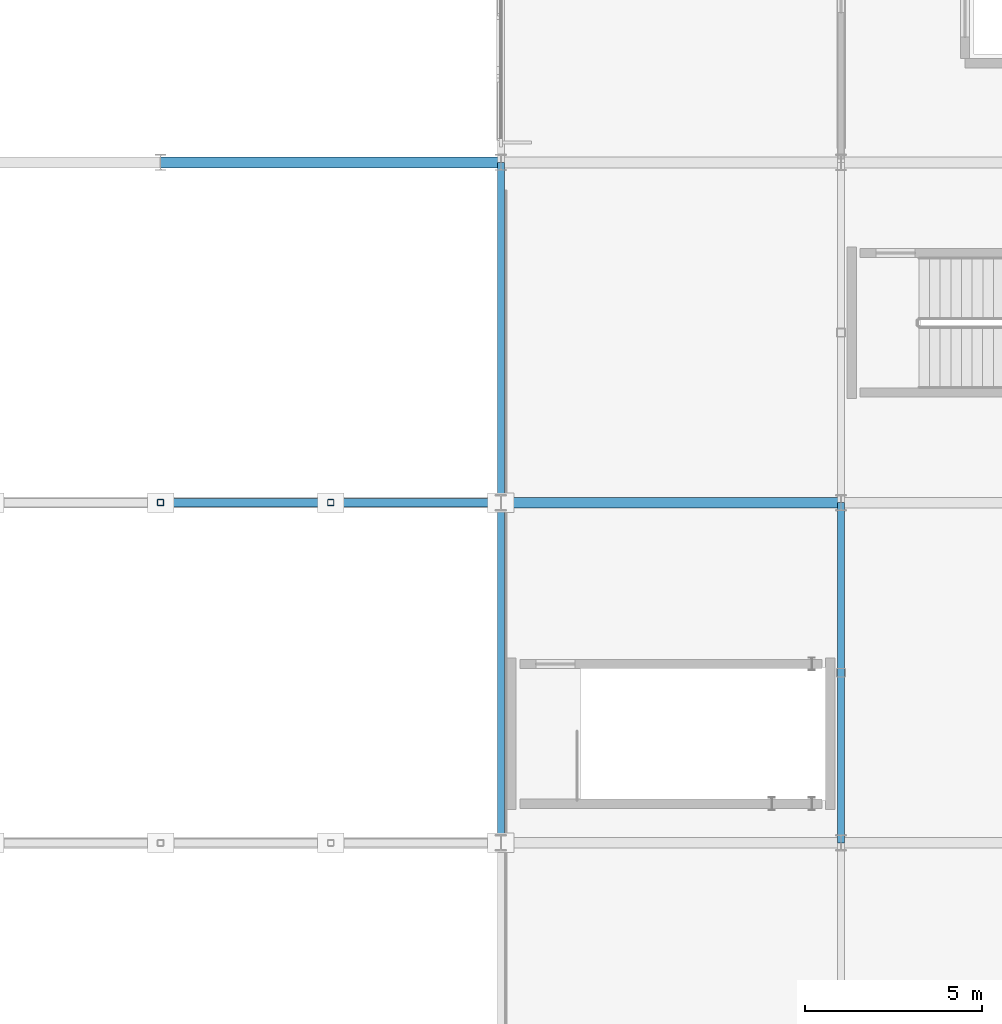
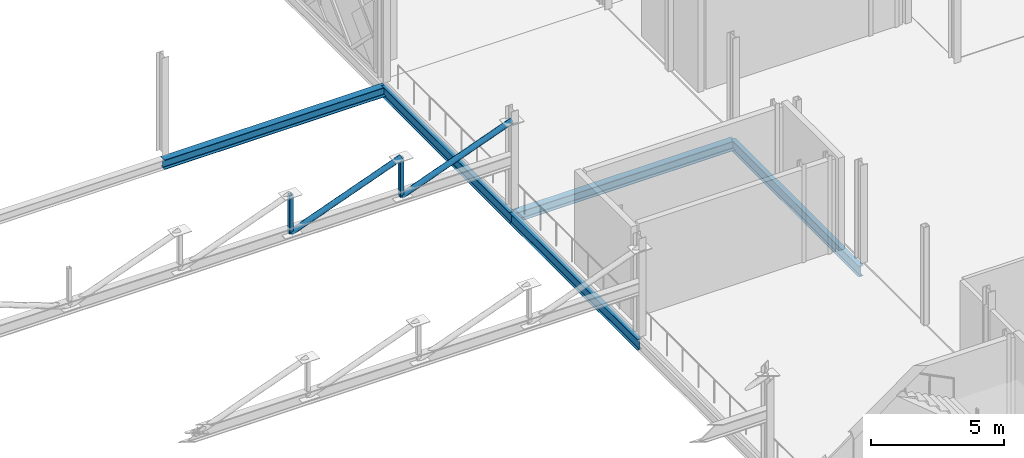
# One storey, part 36 of 101: 5 beams, 4 members.
"""IFC4 building model written with IfcOpenShell, lengths in metres."""

from ifc_helpers import new_model, si_unit, direction, frame, origin, origin_2d, place, context, subcontext, project, spatial, hollow_rectangle, hollow_circle, i_section, extrude, material, material_profile, profile_set, type_object, element, save


model = new_model("IFC4")

# Units and contexts
model_context = context("Model", 3, precision=1e-05, world=origin(), true_north=direction((0.0, 1.0)))
body_context = subcontext(model_context, "Body", "Model", "MODEL_VIEW")
ifc_project = project(units=[si_unit("LENGTHUNIT", "METRE"), si_unit("AREAUNIT", "SQUARE_METRE"), si_unit("VOLUMEUNIT", "CUBIC_METRE"), si_unit("PLANEANGLEUNIT", "RADIAN"), si_unit("MASSUNIT", "GRAM", prefix="KILO")], contexts=[model_context])

# Site, building, storey
site_placement = place(None, origin())
site = spatial("IfcSite", under=ifc_project, at=site_placement, CompositionType="ELEMENT")
building_placement = place(site_placement, origin())
building = spatial("IfcBuilding", under=site, at=building_placement, Name="Zevrakil Square Congress Hotel", CompositionType="ELEMENT")
storey_placement = place(building_placement, frame((0.0, 0.0, 5.39990234375)))
storey = spatial("IfcBuildingStorey", under=building, at=storey_placement, Name="L02", CompositionType="ELEMENT", Elevation=5.39990234375)

# Beams
ifc_material_1 = material(Name="Steel S355", Category="steel")
ifc_material_profile_1 = material_profile(ifc_material_1, i_section(OverallWidth=0.300048828125, OverallDepth=0.43994140625, WebThickness=0.011474609375, FlangeThickness=0.02099609375, FilletRadius=0.027099609375, at=origin_2d()), Name="HEA 450")
ifc_profile_set_1 = profile_set([ifc_material_profile_1], Name="Steel S355")
beam_type_1 = type_object("IfcBeamType", Name="BM-HEA450", PredefinedType="BEAM", material=ifc_profile_set_1)
beam_1_placement = place(storey_placement, frame((45.60009765625, 36.0, -0.47998046875), z_axis=(1.0, 0.0, 0.0), x_axis=(0.0, 1.0, 0.0)))
element("IfcBeam", 1, at=beam_1_placement, inside=storey, type_object=beam_type_1, Name="L02 primary girder BX-0719", PredefinedType="BEAM", context=body_context, shape_type="SweptSolid", body=[
    extrude(i_section(OverallWidth=0.300048828125, OverallDepth=0.43994140625, WebThickness=0.011474609375, FlangeThickness=0.02099609375, FilletRadius=0.027099609375, at=origin_2d()), origin(), (0.0, 0.0, 1.0), 9.599853515625),
])
beam_2_placement = place(storey_placement, frame((36.0, 45.60009765625, -0.47998046875), z_axis=(1.0, 0.0, 0.0), x_axis=(0.0, 1.0, 0.0)))
element("IfcBeam", 2, at=beam_2_placement, inside=storey, type_object=beam_type_1, Name="L02 primary girder BX-0735", PredefinedType="BEAM", context=body_context, shape_type="SweptSolid", body=[
    extrude(i_section(OverallWidth=0.300048828125, OverallDepth=0.43994140625, WebThickness=0.011474609375, FlangeThickness=0.02099609375, FilletRadius=0.027099609375, at=origin_2d()), origin(), (0.0, 0.0, 1.0), 9.60009765625),
])
ifc_material_2 = material(Name="Steel S355", Category="steel")
ifc_material_profile_2 = material_profile(ifc_material_2, i_section(OverallWidth=0.199951171875, OverallDepth=0.5, WebThickness=0.01025390625, FlangeThickness=0.01611328125, FilletRadius=0.02099609375, at=origin_2d()), Name="IPE 500")
ifc_profile_set_2 = profile_set([ifc_material_profile_2], Name="Steel S355")
beam_type_2 = type_object("IfcBeamType", Name="BM-IPE500", PredefinedType="BEAM", material=ifc_profile_set_2)
for number, where, z_axis, x_axis, name in (
    (3, (45.60009765625, 26.39990234375, -0.510009765625), (0.0, 1.0, 0.0), (-1.0, 0.0, 0.0), "L02 primary girder BY-0845"),
    (4, (45.60009765625, 36.0, -0.510009765625), (0.0, 1.0, 0.0), (-1.0, 0.0, 0.0), "L02 primary girder BY-0846"),
    (5, (55.199951171875, 26.39990234375, -0.510009765625), (0.0, 1.0, 0.0), (-1.0, 0.0, 0.0), "L02 primary girder BY-0857"),
):
    element("IfcBeam", number, at=place(storey_placement, frame(where, z_axis=z_axis, x_axis=x_axis)), inside=storey, type_object=beam_type_2, Name=name, PredefinedType="BEAM", context=body_context, shape_type="SweptSolid", body=[
        extrude(i_section(OverallWidth=0.199951171875, OverallDepth=0.5, WebThickness=0.01025390625, FlangeThickness=0.01611328125, FilletRadius=0.02099609375, at=origin_2d()), origin(), (0.0, 0.0, 1.0), 9.60009765625),
    ])

# Members
ifc_material_3 = material(Name="Steel S355", Category="steel")
ifc_material_profile_3 = material_profile(ifc_material_3, hollow_circle(Radius=0.122314453125, WallThickness=0.012451171875, at=origin_2d()), Name="CHS 244.5x12.5")
ifc_profile_set_3 = profile_set([ifc_material_profile_3], Name="Steel S355")
member_type_1 = type_object("IfcMemberType", Name="MEM-BRACE-CHS244", PredefinedType="BRACE", material=ifc_profile_set_3)
for number, where, z_axis, x_axis, name in (
    (6, (36.0, 36.0, 2.150146484375), (0.937932774607, 0.0, 0.346817113646), (0.0, 1.0, 0.0), "Ballroom Pratt truss diagonal BTD-36"),
    (7, (40.800048828125, 36.0, 2.150146484375), (0.937932774607, 0.0, 0.346817113646), (0.0, 1.0, 0.0), "Ballroom Pratt truss diagonal BTD-37"),
):
    element("IfcMember", number, at=place(storey_placement, frame(where, z_axis=z_axis, x_axis=x_axis)), inside=storey, type_object=member_type_1, Name=name, PredefinedType="BRACE", context=body_context, shape_type="SweptSolid", body=[
        extrude(hollow_circle(Radius=0.122314453125, WallThickness=0.012451171875, at=origin_2d()), origin(), (0.0, 0.0, 1.0), 5.11767578125),
    ])
ifc_material_4 = material(Name="Steel S355", Category="steel")
ifc_material_profile_4 = material_profile(ifc_material_4, hollow_rectangle(XDim=0.179931640625, YDim=0.179931640625, WallThickness=0.010009765625, InnerFilletRadius=0.010009765625, OuterFilletRadius=0.02001953125, at=origin_2d()), Name="SHS 180x180x10")
ifc_profile_set_4 = profile_set([ifc_material_profile_4], Name="Steel S355")
member_type_2 = type_object("IfcMemberType", Name="MEM-BRACE-SHS180", PredefinedType="BRACE", material=ifc_profile_set_4)
for number, where, z_axis, x_axis, name in (
    (8, (36.0, 36.0, 2.150146484375), (0.0, 0.0, 1.0), (1.0, 0.0, 0.0), "Ballroom Pratt truss vertical BTV-36"),
    (9, (40.800048828125, 36.0, 2.150146484375), (0.0, 0.0, 1.0), (1.0, 0.0, 0.0), "Ballroom Pratt truss vertical BTV-37"),
):
    element("IfcMember", number, at=place(storey_placement, frame(where, z_axis=z_axis, x_axis=x_axis)), inside=storey, type_object=member_type_2, Name=name, PredefinedType="BRACE", context=body_context, shape_type="SweptSolid", body=[
        extrude(hollow_rectangle(XDim=0.179931640625, YDim=0.179931640625, WallThickness=0.010009765625, InnerFilletRadius=0.010009765625, OuterFilletRadius=0.02001953125, at=origin_2d()), origin(), (0.0, 0.0, 1.0), 1.77490234375),
    ])

save(model, "model.ifc")
